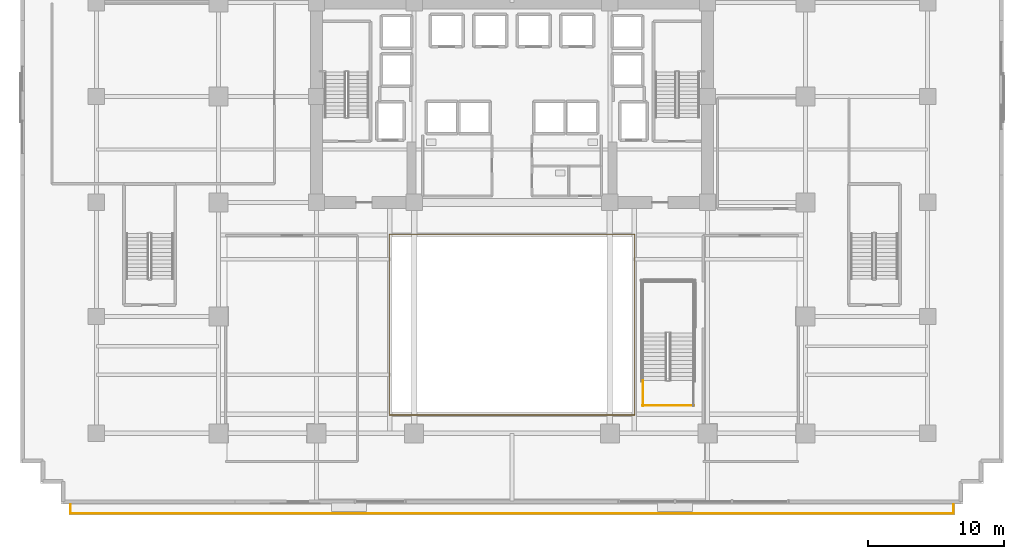
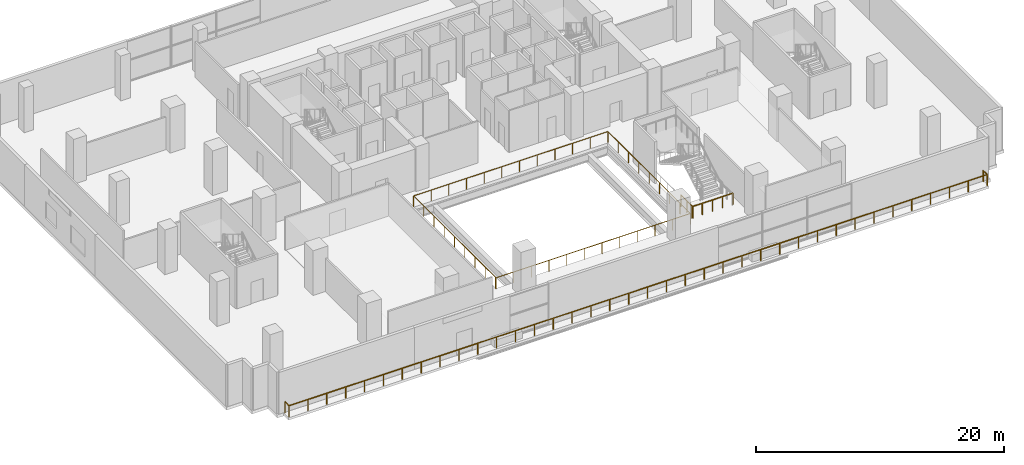
# One storey, part 19 of 23: 4 railings.
"""IFC4 building model written with IfcOpenShell, lengths in metres."""

from ifc_helpers import new_model, si_unit, direction, frame, origin, origin_2d, place, context, subcontext, project, spatial, rectangle, extrude, material, type_object, element, save


model = new_model("IFC4")

# Units and contexts
model_context = context("Model", 3, precision=1e-05, world=origin(), true_north=direction((0.0, 1.0)))
body_context = subcontext(model_context, "Body", "Model", "MODEL_VIEW")
ifc_project = project(units=[si_unit("LENGTHUNIT", "METRE"), si_unit("AREAUNIT", "SQUARE_METRE"), si_unit("VOLUMEUNIT", "CUBIC_METRE"), si_unit("PLANEANGLEUNIT", "RADIAN"), si_unit("MASSUNIT", "GRAM", prefix="KILO")], contexts=[model_context])

# Site, building, storey
site_placement = place(None, origin())
site = spatial("IfcSite", under=ifc_project, at=site_placement, CompositionType="ELEMENT")
building_placement = place(site_placement, origin())
building = spatial("IfcBuilding", under=site, at=building_placement, Name="Zarnakvel Exchange Tower", CompositionType="ELEMENT")
storey_placement = place(building_placement, frame((0.0, 0.0, 13.800048828125)))
storey = spatial("IfcBuildingStorey", under=building, at=storey_placement, Name="L03", CompositionType="ELEMENT", Elevation=13.800048828125)

# Railings
ifc_material = material(Name="Architectural Bronze Anodised Aluminium", Category="aluminium")
railing_type_1 = type_object("IfcRailingType", Name="GR-02", PredefinedType="GUARDRAIL", material=ifc_material)
railing_1_placement = place(storey_placement, frame((-32.5, -23.449951171875, 0.0)))
element("IfcRailing", 1, at=railing_1_placement, inside=storey, type_object=railing_type_1, Name="L03 Podium Terrace Perimeter Guardrail", PredefinedType="GUARDRAIL", context=body_context, shape_type="SweptSolid", body=[
    extrude(rectangle(XDim=0.048095703125, YDim=0.048095703125, at=origin_2d()), frame((0.0, 0.0, 1.09619140625), z_axis=(0.0, -1.0, 0.0), x_axis=(1.0, 0.0, 0.0)), (0.0, 0.0, 1.0), 0.650146484375),
    extrude(rectangle(XDim=0.048095703125, YDim=0.048095703125, at=origin_2d()), frame((0.0, -0.650146484375, 1.09619140625), z_axis=(1.0, 0.0, 0.0), x_axis=(0.0, 1.0, 0.0)), (0.0, 0.0, 1.0), 65.0),
    extrude(rectangle(XDim=0.048095703125, YDim=0.048095703125, at=origin_2d()), frame((65.0, -0.650146484375, 1.09619140625), z_axis=(0.0, 1.0, 0.0), x_axis=(-1.0, 0.0, 0.0)), (0.0, 0.0, 1.0), 0.650146484375),
    extrude(rectangle(XDim=0.0419921875, YDim=0.0419921875, at=origin_2d()), origin(), (0.0, 0.0, 1.0), 1.072021484375),
    extrude(rectangle(XDim=0.0419921875, YDim=0.0419921875, at=origin_2d()), frame((0.0, -0.650146484375, 0.0)), (0.0, 0.0, 1.0), 1.072021484375),
    extrude(rectangle(XDim=0.0419921875, YDim=0.0419921875, at=origin_2d()), frame((1.7568359375, -0.650146484375, 0.0)), (0.0, 0.0, 1.0), 1.072021484375),
    extrude(rectangle(XDim=0.0419921875, YDim=0.0419921875, at=origin_2d()), frame((3.513427734375, -0.650146484375, 0.0)), (0.0, 0.0, 1.0), 1.072021484375),
    extrude(rectangle(XDim=0.0419921875, YDim=0.0419921875, at=origin_2d()), frame((5.270263671875, -0.650146484375, 0.0)), (0.0, 0.0, 1.0), 1.072021484375),
    extrude(rectangle(XDim=0.0419921875, YDim=0.0419921875, at=origin_2d()), frame((7.027099609375, -0.650146484375, 0.0)), (0.0, 0.0, 1.0), 1.072021484375),
    extrude(rectangle(XDim=0.0419921875, YDim=0.0419921875, at=origin_2d()), frame((8.78369140625, -0.650146484375, 0.0)), (0.0, 0.0, 1.0), 1.072021484375),
    extrude(rectangle(XDim=0.0419921875, YDim=0.0419921875, at=origin_2d()), frame((10.54052734375, -0.650146484375, 0.0)), (0.0, 0.0, 1.0), 1.072021484375),
    extrude(rectangle(XDim=0.0419921875, YDim=0.0419921875, at=origin_2d()), frame((12.29736328125, -0.650146484375, 0.0)), (0.0, 0.0, 1.0), 1.072021484375),
    extrude(rectangle(XDim=0.0419921875, YDim=0.0419921875, at=origin_2d()), frame((14.053955078125, -0.650146484375, 0.0)), (0.0, 0.0, 1.0), 1.072021484375),
    extrude(rectangle(XDim=0.0419921875, YDim=0.0419921875, at=origin_2d()), frame((15.810791015625, -0.650146484375, 0.0)), (0.0, 0.0, 1.0), 1.072021484375),
    extrude(rectangle(XDim=0.0419921875, YDim=0.0419921875, at=origin_2d()), frame((17.567626953125, -0.650146484375, 0.0)), (0.0, 0.0, 1.0), 1.072021484375),
    extrude(rectangle(XDim=0.0419921875, YDim=0.0419921875, at=origin_2d()), frame((19.32421875, -0.650146484375, 0.0)), (0.0, 0.0, 1.0), 1.072021484375),
    extrude(rectangle(XDim=0.0419921875, YDim=0.0419921875, at=origin_2d()), frame((21.0810546875, -0.650146484375, 0.0)), (0.0, 0.0, 1.0), 1.072021484375),
    extrude(rectangle(XDim=0.0419921875, YDim=0.0419921875, at=origin_2d()), frame((22.837890625, -0.650146484375, 0.0)), (0.0, 0.0, 1.0), 1.072021484375),
    extrude(rectangle(XDim=0.0419921875, YDim=0.0419921875, at=origin_2d()), frame((24.594482421875, -0.650146484375, 0.0)), (0.0, 0.0, 1.0), 1.072021484375),
    extrude(rectangle(XDim=0.0419921875, YDim=0.0419921875, at=origin_2d()), frame((26.351318359375, -0.650146484375, 0.0)), (0.0, 0.0, 1.0), 1.072021484375),
    extrude(rectangle(XDim=0.0419921875, YDim=0.0419921875, at=origin_2d()), frame((28.108154296875, -0.650146484375, 0.0)), (0.0, 0.0, 1.0), 1.072021484375),
    extrude(rectangle(XDim=0.0419921875, YDim=0.0419921875, at=origin_2d()), frame((29.86474609375, -0.650146484375, 0.0)), (0.0, 0.0, 1.0), 1.072021484375),
    extrude(rectangle(XDim=0.0419921875, YDim=0.0419921875, at=origin_2d()), frame((31.62158203125, -0.650146484375, 0.0)), (0.0, 0.0, 1.0), 1.072021484375),
    extrude(rectangle(XDim=0.0419921875, YDim=0.0419921875, at=origin_2d()), frame((33.37841796875, -0.650146484375, 0.0)), (0.0, 0.0, 1.0), 1.072021484375),
    extrude(rectangle(XDim=0.0419921875, YDim=0.0419921875, at=origin_2d()), frame((35.13525390625, -0.650146484375, 0.0)), (0.0, 0.0, 1.0), 1.072021484375),
    extrude(rectangle(XDim=0.0419921875, YDim=0.0419921875, at=origin_2d()), frame((36.891845703125, -0.650146484375, 0.0)), (0.0, 0.0, 1.0), 1.072021484375),
    extrude(rectangle(XDim=0.0419921875, YDim=0.0419921875, at=origin_2d()), frame((38.648681640625, -0.650146484375, 0.0)), (0.0, 0.0, 1.0), 1.072021484375),
    extrude(rectangle(XDim=0.0419921875, YDim=0.0419921875, at=origin_2d()), frame((40.405517578125, -0.650146484375, 0.0)), (0.0, 0.0, 1.0), 1.072021484375),
    extrude(rectangle(XDim=0.0419921875, YDim=0.0419921875, at=origin_2d()), frame((42.162109375, -0.650146484375, 0.0)), (0.0, 0.0, 1.0), 1.072021484375),
    extrude(rectangle(XDim=0.0419921875, YDim=0.0419921875, at=origin_2d()), frame((43.9189453125, -0.650146484375, 0.0)), (0.0, 0.0, 1.0), 1.072021484375),
    extrude(rectangle(XDim=0.0419921875, YDim=0.0419921875, at=origin_2d()), frame((45.67578125, -0.650146484375, 0.0)), (0.0, 0.0, 1.0), 1.072021484375),
    extrude(rectangle(XDim=0.0419921875, YDim=0.0419921875, at=origin_2d()), frame((47.432373046875, -0.650146484375, 0.0)), (0.0, 0.0, 1.0), 1.072021484375),
    extrude(rectangle(XDim=0.0419921875, YDim=0.0419921875, at=origin_2d()), frame((49.189208984375, -0.650146484375, 0.0)), (0.0, 0.0, 1.0), 1.072021484375),
    extrude(rectangle(XDim=0.0419921875, YDim=0.0419921875, at=origin_2d()), frame((50.946044921875, -0.650146484375, 0.0)), (0.0, 0.0, 1.0), 1.072021484375),
    extrude(rectangle(XDim=0.0419921875, YDim=0.0419921875, at=origin_2d()), frame((52.70263671875, -0.650146484375, 0.0)), (0.0, 0.0, 1.0), 1.072021484375),
    extrude(rectangle(XDim=0.0419921875, YDim=0.0419921875, at=origin_2d()), frame((54.45947265625, -0.650146484375, 0.0)), (0.0, 0.0, 1.0), 1.072021484375),
    extrude(rectangle(XDim=0.0419921875, YDim=0.0419921875, at=origin_2d()), frame((56.21630859375, -0.650146484375, 0.0)), (0.0, 0.0, 1.0), 1.072021484375),
    extrude(rectangle(XDim=0.0419921875, YDim=0.0419921875, at=origin_2d()), frame((57.972900390625, -0.650146484375, 0.0)), (0.0, 0.0, 1.0), 1.072021484375),
    extrude(rectangle(XDim=0.0419921875, YDim=0.0419921875, at=origin_2d()), frame((59.729736328125, -0.650146484375, 0.0)), (0.0, 0.0, 1.0), 1.072021484375),
    extrude(rectangle(XDim=0.0419921875, YDim=0.0419921875, at=origin_2d()), frame((61.486572265625, -0.650146484375, 0.0)), (0.0, 0.0, 1.0), 1.072021484375),
    extrude(rectangle(XDim=0.0419921875, YDim=0.0419921875, at=origin_2d()), frame((63.2431640625, -0.650146484375, 0.0)), (0.0, 0.0, 1.0), 1.072021484375),
    extrude(rectangle(XDim=0.0419921875, YDim=0.0419921875, at=origin_2d()), frame((65.0, -0.650146484375, 0.0)), (0.0, 0.0, 1.0), 1.072021484375),
    extrude(rectangle(XDim=0.0419921875, YDim=0.0419921875, at=origin_2d()), frame((65.0, 0.0, 0.0)), (0.0, 0.0, 1.0), 1.072021484375),
])
railing_type_2 = type_object("IfcRailingType", Name="GR-03", PredefinedType="GUARDRAIL", material=ifc_material)
railing_2_placement = place(storey_placement, frame((-9.050048828125, -16.85009765625, 0.0)))
element("IfcRailing", 2, at=railing_2_placement, inside=storey, type_object=railing_type_2, Name="L03 Atrium Void Perimeter Balustrade", PredefinedType="GUARDRAIL", context=body_context, shape_type="SweptSolid", body=[
    extrude(rectangle(XDim=0.048095703125, YDim=0.048095703125, at=origin_2d()), frame((0.0, 0.0, 1.076171875), z_axis=(1.0, 0.0, 0.0), x_axis=(0.0, 1.0, 0.0)), (0.0, 0.0, 1.0), 18.10009765625),
    extrude(rectangle(XDim=0.048095703125, YDim=0.048095703125, at=origin_2d()), frame((18.10009765625, 0.0, 1.076171875), z_axis=(0.0, 1.0, 0.0), x_axis=(-1.0, 0.0, 0.0)), (0.0, 0.0, 1.0), 13.300048828125),
    extrude(rectangle(XDim=0.048095703125, YDim=0.048095703125, at=origin_2d()), frame((18.10009765625, 13.300048828125, 1.076171875), z_axis=(-1.0, 0.0, 0.0), x_axis=(0.0, -1.0, 0.0)), (0.0, 0.0, 1.0), 18.10009765625),
    extrude(rectangle(XDim=0.048095703125, YDim=0.048095703125, at=origin_2d()), frame((0.0, 13.300048828125, 1.076171875), z_axis=(0.0, -1.0, 0.0), x_axis=(1.0, 0.0, 0.0)), (0.0, 0.0, 1.0), 13.219970703125),
    extrude(rectangle(XDim=0.0419921875, YDim=0.0419921875, at=origin_2d()), origin(), (0.0, 0.0, 1.0), 1.052001953125),
    extrude(rectangle(XDim=0.0419921875, YDim=0.0419921875, at=origin_2d()), frame((1.6455078125, 0.0, 0.0)), (0.0, 0.0, 1.0), 1.052001953125),
    extrude(rectangle(XDim=0.0419921875, YDim=0.0419921875, at=origin_2d()), frame((3.291015625, 0.0, 0.0)), (0.0, 0.0, 1.0), 1.052001953125),
    extrude(rectangle(XDim=0.0419921875, YDim=0.0419921875, at=origin_2d()), frame((4.936279296875, 0.0, 0.0)), (0.0, 0.0, 1.0), 1.052001953125),
    extrude(rectangle(XDim=0.0419921875, YDim=0.0419921875, at=origin_2d()), frame((6.581787109375, 0.0, 0.0)), (0.0, 0.0, 1.0), 1.052001953125),
    extrude(rectangle(XDim=0.0419921875, YDim=0.0419921875, at=origin_2d()), frame((8.227294921875, 0.0, 0.0)), (0.0, 0.0, 1.0), 1.052001953125),
    extrude(rectangle(XDim=0.0419921875, YDim=0.0419921875, at=origin_2d()), frame((9.872802734375, 0.0, 0.0)), (0.0, 0.0, 1.0), 1.052001953125),
    extrude(rectangle(XDim=0.0419921875, YDim=0.0419921875, at=origin_2d()), frame((11.518310546875, 0.0, 0.0)), (0.0, 0.0, 1.0), 1.052001953125),
    extrude(rectangle(XDim=0.0419921875, YDim=0.0419921875, at=origin_2d()), frame((13.163818359375, 0.0, 0.0)), (0.0, 0.0, 1.0), 1.052001953125),
    extrude(rectangle(XDim=0.0419921875, YDim=0.0419921875, at=origin_2d()), frame((14.80908203125, 0.0, 0.0)), (0.0, 0.0, 1.0), 1.052001953125),
    extrude(rectangle(XDim=0.0419921875, YDim=0.0419921875, at=origin_2d()), frame((16.45458984375, 0.0, 0.0)), (0.0, 0.0, 1.0), 1.052001953125),
    extrude(rectangle(XDim=0.0419921875, YDim=0.0419921875, at=origin_2d()), frame((18.10009765625, 0.0, 0.0)), (0.0, 0.0, 1.0), 1.052001953125),
    extrude(rectangle(XDim=0.0419921875, YDim=0.0419921875, at=origin_2d()), frame((18.10009765625, 1.66259765625, 0.0)), (0.0, 0.0, 1.0), 1.052001953125),
    extrude(rectangle(XDim=0.0419921875, YDim=0.0419921875, at=origin_2d()), frame((18.10009765625, 3.324951171875, 0.0)), (0.0, 0.0, 1.0), 1.052001953125),
    extrude(rectangle(XDim=0.0419921875, YDim=0.0419921875, at=origin_2d()), frame((18.10009765625, 4.987548828125, 0.0)), (0.0, 0.0, 1.0), 1.052001953125),
    extrude(rectangle(XDim=0.0419921875, YDim=0.0419921875, at=origin_2d()), frame((18.10009765625, 6.64990234375, 0.0)), (0.0, 0.0, 1.0), 1.052001953125),
    extrude(rectangle(XDim=0.0419921875, YDim=0.0419921875, at=origin_2d()), frame((18.10009765625, 8.3125, 0.0)), (0.0, 0.0, 1.0), 1.052001953125),
    extrude(rectangle(XDim=0.0419921875, YDim=0.0419921875, at=origin_2d()), frame((18.10009765625, 9.97509765625, 0.0)), (0.0, 0.0, 1.0), 1.052001953125),
    extrude(rectangle(XDim=0.0419921875, YDim=0.0419921875, at=origin_2d()), frame((18.10009765625, 11.637451171875, 0.0)), (0.0, 0.0, 1.0), 1.052001953125),
    extrude(rectangle(XDim=0.0419921875, YDim=0.0419921875, at=origin_2d()), frame((18.10009765625, 13.300048828125, 0.0)), (0.0, 0.0, 1.0), 1.052001953125),
    extrude(rectangle(XDim=0.0419921875, YDim=0.0419921875, at=origin_2d()), frame((16.45458984375, 13.300048828125, 0.0)), (0.0, 0.0, 1.0), 1.052001953125),
    extrude(rectangle(XDim=0.0419921875, YDim=0.0419921875, at=origin_2d()), frame((14.80908203125, 13.300048828125, 0.0)), (0.0, 0.0, 1.0), 1.052001953125),
    extrude(rectangle(XDim=0.0419921875, YDim=0.0419921875, at=origin_2d()), frame((13.163818359375, 13.300048828125, 0.0)), (0.0, 0.0, 1.0), 1.052001953125),
    extrude(rectangle(XDim=0.0419921875, YDim=0.0419921875, at=origin_2d()), frame((11.518310546875, 13.300048828125, 0.0)), (0.0, 0.0, 1.0), 1.052001953125),
    extrude(rectangle(XDim=0.0419921875, YDim=0.0419921875, at=origin_2d()), frame((9.872802734375, 13.300048828125, 0.0)), (0.0, 0.0, 1.0), 1.052001953125),
    extrude(rectangle(XDim=0.0419921875, YDim=0.0419921875, at=origin_2d()), frame((8.227294921875, 13.300048828125, 0.0)), (0.0, 0.0, 1.0), 1.052001953125),
    extrude(rectangle(XDim=0.0419921875, YDim=0.0419921875, at=origin_2d()), frame((6.581787109375, 13.300048828125, 0.0)), (0.0, 0.0, 1.0), 1.052001953125),
    extrude(rectangle(XDim=0.0419921875, YDim=0.0419921875, at=origin_2d()), frame((4.936279296875, 13.300048828125, 0.0)), (0.0, 0.0, 1.0), 1.052001953125),
    extrude(rectangle(XDim=0.0419921875, YDim=0.0419921875, at=origin_2d()), frame((3.291015625, 13.300048828125, 0.0)), (0.0, 0.0, 1.0), 1.052001953125),
    extrude(rectangle(XDim=0.0419921875, YDim=0.0419921875, at=origin_2d()), frame((1.6455078125, 13.300048828125, 0.0)), (0.0, 0.0, 1.0), 1.052001953125),
    extrude(rectangle(XDim=0.0419921875, YDim=0.0419921875, at=origin_2d()), frame((0.0, 13.300048828125, 0.0)), (0.0, 0.0, 1.0), 1.052001953125),
    extrude(rectangle(XDim=0.0419921875, YDim=0.0419921875, at=origin_2d()), frame((0.0, 11.6474609375, 0.0)), (0.0, 0.0, 1.0), 1.052001953125),
    extrude(rectangle(XDim=0.0419921875, YDim=0.0419921875, at=origin_2d()), frame((0.0, 9.9951171875, 0.0)), (0.0, 0.0, 1.0), 1.052001953125),
    extrude(rectangle(XDim=0.0419921875, YDim=0.0419921875, at=origin_2d()), frame((0.0, 8.342529296875, 0.0)), (0.0, 0.0, 1.0), 1.052001953125),
    extrude(rectangle(XDim=0.0419921875, YDim=0.0419921875, at=origin_2d()), frame((0.0, 6.68994140625, 0.0)), (0.0, 0.0, 1.0), 1.052001953125),
    extrude(rectangle(XDim=0.0419921875, YDim=0.0419921875, at=origin_2d()), frame((0.0, 5.03759765625, 0.0)), (0.0, 0.0, 1.0), 1.052001953125),
    extrude(rectangle(XDim=0.0419921875, YDim=0.0419921875, at=origin_2d()), frame((0.0, 3.385009765625, 0.0)), (0.0, 0.0, 1.0), 1.052001953125),
    extrude(rectangle(XDim=0.0419921875, YDim=0.0419921875, at=origin_2d()), frame((0.0, 1.732666015625, 0.0)), (0.0, 0.0, 1.0), 1.052001953125),
    extrude(rectangle(XDim=0.0419921875, YDim=0.0419921875, at=origin_2d()), frame((0.0, 0.080078125, 0.0)), (0.0, 0.0, 1.0), 1.052001953125),
])
railing_type_3 = type_object("IfcRailingType", Name="SG-01", PredefinedType="GUARDRAIL", material=ifc_material)
railing_3_placement = place(storey_placement, frame((9.64990234375, -16.199951171875, 0.0)))
element("IfcRailing", 3, at=railing_3_placement, inside=storey, type_object=railing_type_3, Name="L03 ST-06 stair guard 9", PredefinedType="GUARDRAIL", context=body_context, shape_type="SweptSolid", body=[
    extrude(rectangle(XDim=0.048095703125, YDim=0.048095703125, at=origin_2d()), frame((0.0, 0.0, 1.1259765625), z_axis=(0.0, 1.0, 0.0), x_axis=(-1.0, 0.0, 0.0)), (0.0, 0.0, 1.0), 1.89990234375),
    extrude(rectangle(XDim=0.0419921875, YDim=0.0419921875, at=origin_2d()), origin(), (0.0, 0.0, 1.0), 1.101806640625),
    extrude(rectangle(XDim=0.0419921875, YDim=0.0419921875, at=origin_2d()), frame((0.0, 0.949951171875, 0.0)), (0.0, 0.0, 1.0), 1.101806640625),
    extrude(rectangle(XDim=0.0419921875, YDim=0.0419921875, at=origin_2d()), frame((0.0, 1.89990234375, 0.0)), (0.0, 0.0, 1.0), 1.101806640625),
])
railing_4_placement = place(storey_placement, frame((13.39990234375, -16.14990234375, 0.0)))
element("IfcRailing", 4, at=railing_4_placement, inside=storey, type_object=railing_type_3, Name="L03 ST-06 stair guard 10", PredefinedType="GUARDRAIL", context=body_context, shape_type="SweptSolid", body=[
    extrude(rectangle(XDim=0.048095703125, YDim=0.048095703125, at=origin_2d()), frame((0.0, 0.0, 1.1259765625), z_axis=(-1.0, 0.0, 0.0), x_axis=(0.0, -1.0, 0.0)), (0.0, 0.0, 1.0), 3.7998046875),
    extrude(rectangle(XDim=0.0419921875, YDim=0.0419921875, at=origin_2d()), origin(), (0.0, 0.0, 1.0), 1.101806640625),
    extrude(rectangle(XDim=0.0419921875, YDim=0.0419921875, at=origin_2d()), frame((-0.949951171875, 0.0, 0.0)), (0.0, 0.0, 1.0), 1.101806640625),
    extrude(rectangle(XDim=0.0419921875, YDim=0.0419921875, at=origin_2d()), frame((-1.89990234375, 0.0, 0.0)), (0.0, 0.0, 1.0), 1.101806640625),
    extrude(rectangle(XDim=0.0419921875, YDim=0.0419921875, at=origin_2d()), frame((-2.849853515625, 0.0, 0.0)), (0.0, 0.0, 1.0), 1.101806640625),
    extrude(rectangle(XDim=0.0419921875, YDim=0.0419921875, at=origin_2d()), frame((-3.7998046875, 0.0, 0.0)), (0.0, 0.0, 1.0), 1.101806640625),
])

save(model, "model.ifc")
